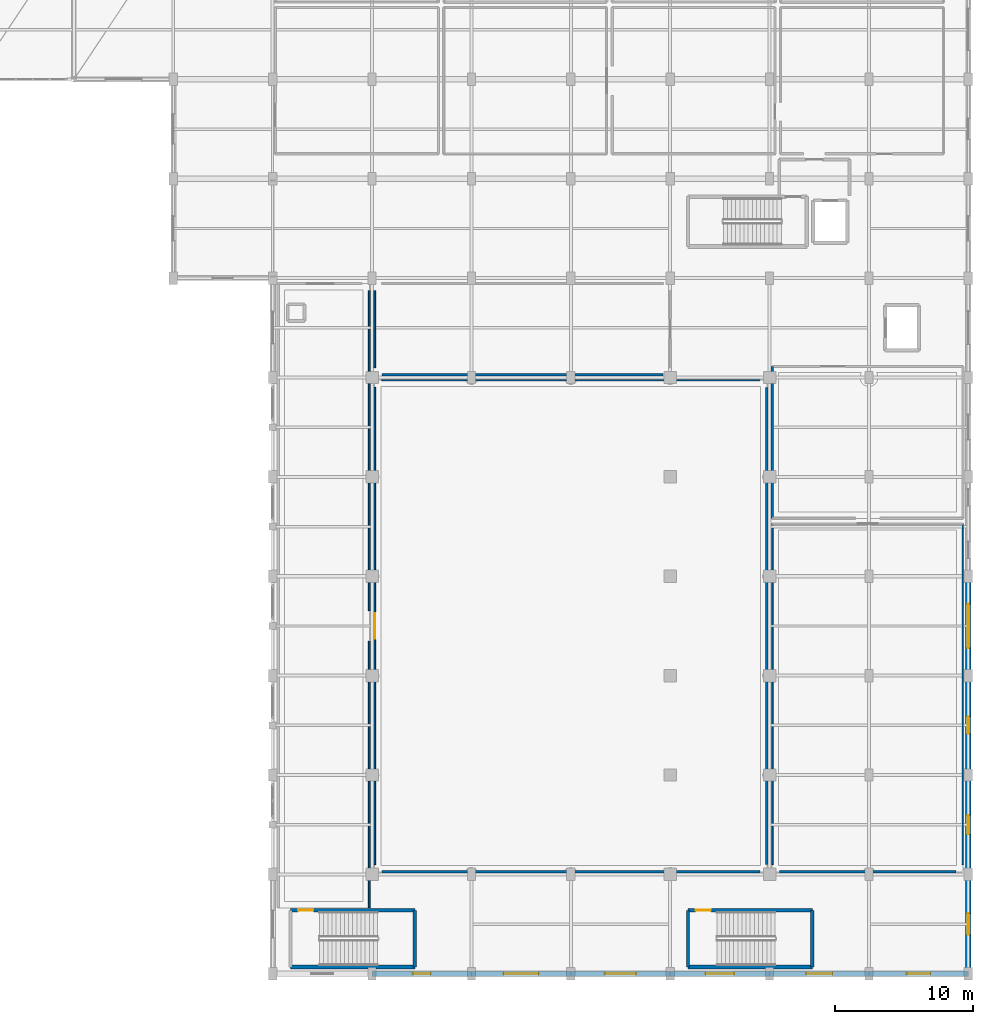
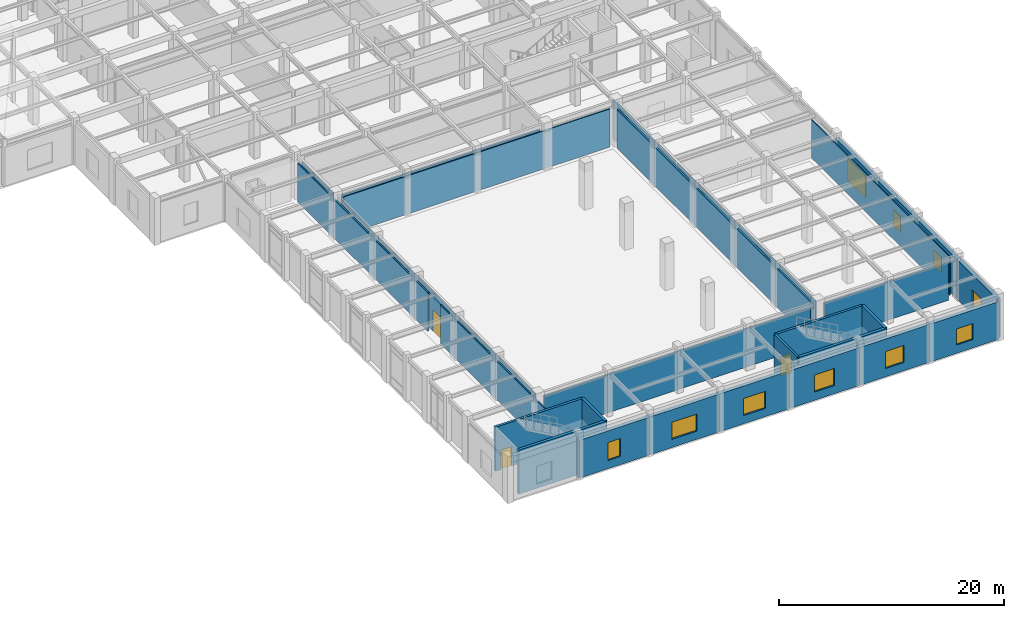
# One storey, part 93 of 117: 29 walls, 10 windows, 3 doors, 13 openings.
"""IFC4 building model written with IfcOpenShell, lengths in metres."""

from ifc_helpers import new_model, si_unit, direction, frame, frame_2d, origin, place, context, subcontext, project, spatial, rectangle, extrude, material, layer, layer_set, type_object, element, fill, save


model = new_model("IFC4")

# Units and contexts
model_context = context("Model", 3, precision=1e-05, world=origin(), true_north=direction((0.0, 1.0)))
body_context = subcontext(model_context, "Body", "Model", "MODEL_VIEW")
ifc_project = project(units=[si_unit("LENGTHUNIT", "METRE"), si_unit("AREAUNIT", "SQUARE_METRE"), si_unit("VOLUMEUNIT", "CUBIC_METRE"), si_unit("PLANEANGLEUNIT", "RADIAN"), si_unit("MASSUNIT", "GRAM", prefix="KILO")], contexts=[model_context])

# Site, building, storey
site_placement = place(None, origin())
site = spatial("IfcSite", under=ifc_project, at=site_placement, CompositionType="ELEMENT")
building_placement = place(site_placement, origin())
building = spatial("IfcBuilding", under=site, at=building_placement, Name="Carrowvane Square Congress Hotel", CompositionType="ELEMENT")
storey_placement = place(building_placement, frame((0.0, 0.0, 5.39990234375)))
storey = spatial("IfcBuildingStorey", under=building, at=storey_placement, Name="L01", CompositionType="ELEMENT", Elevation=5.39990234375)

# Wall, opening, window
ifc_material_1 = material(Name="Portland limestone cladding", Category="masonry")
ifc_layer_1 = layer(ifc_material_1, 0.3798828125)
ifc_layer_set_1 = layer_set([ifc_layer_1], Name="Portland limestone cladding")
wall_type_1 = type_object("IfcWallType", Name="WL-EXT-LS380", PredefinedType="STANDARD", material=ifc_layer_set_1)
wall_1_placement = place(storey_placement, frame((184.39990234375, 34.199951171875, 0.0), z_axis=(0.0, 0.0, 1.0), x_axis=(0.0, -1.0, 0.0)))
wall_1 = element("IfcWall", 1, at=wall_1_placement, inside=storey, type_object=wall_type_1, Name="L01 exterior facade wall 234", PredefinedType="STANDARD", context=body_context, shape_type="SweptSolid", body=[
    extrude(rectangle(XDim=7.199951171875, YDim=0.3798828125, at=frame_2d((3.60009765625, 0.0))), origin(), (0.0, 0.0, 1.0), 4.30517578125),
])
opening_1_placement = place(wall_1_placement, frame((2.0, 0.0, 0.89990234375)))
opening_1 = element("IfcOpeningElement", 2, at=opening_1_placement, cuts=wall_1, Name="Opening W-20", PredefinedType="OPENING", context=body_context, shape_type="SweptSolid", body=[
    extrude(rectangle(XDim=3.199951171875, YDim=2.39990234375, at=frame_2d((1.60009765625, 1.199951171875))), frame((0.0, 0.199951171875, 0.0), z_axis=(0.0, -1.0, 0.0), x_axis=(1.0, 0.0, 0.0)), (0.0, 0.0, 1.0), 0.39990234375),
])
ifc_material_2 = material(Name="Double-glazed low-E glass", Category="glass")
window_type_1 = type_object("IfcWindowType", Name="WIN-20", PartitioningType="SINGLE_PANEL", PredefinedType="WINDOW", material=ifc_material_2)
window_1_placement = place(opening_1_placement, origin())
window_1 = element("IfcWindow", 3, at=window_1_placement, inside=storey, type_object=window_type_1, Name="L01 facade window 57", OverallHeight=2.39990234375, OverallWidth=3.199951171875, PartitioningType="SINGLE_PANEL", PredefinedType="WINDOW", context=body_context, shape_type="SweptSolid", body=[
    extrude(rectangle(XDim=3.199951171875, YDim=2.39990234375, at=frame_2d((1.60009765625, 1.199951171875))), frame((0.0, 0.030029296875, 0.0), z_axis=(0.0, -1.0, 0.0), x_axis=(1.0, 0.0, 0.0)), (0.0, 0.0, 1.0), 0.06005859375),
])
fill(opening_1, window_1)

wall_2_placement = place(storey_placement, frame((184.39990234375, 27.0, 0.0), z_axis=(0.0, 0.0, 1.0), x_axis=(0.0, -1.0, 0.0)))
wall_2 = element("IfcWall", 4, at=wall_2_placement, inside=storey, type_object=wall_type_1, Name="L01 exterior facade wall 235", PredefinedType="STANDARD", context=body_context, shape_type="SweptSolid", body=[
    extrude(rectangle(XDim=7.199951171875, YDim=0.3798828125, at=frame_2d((3.60009765625, 0.0))), origin(), (0.0, 0.0, 1.0), 4.30517578125),
])
opening_2_placement = place(wall_2_placement, frame((2.97509765625, 0.0, 0.89990234375)))
opening_2 = element("IfcOpeningElement", 5, at=opening_2_placement, cuts=wall_2, Name="Opening W-21", PredefinedType="OPENING", context=body_context, shape_type="SweptSolid", body=[
    extrude(rectangle(XDim=1.25, YDim=1.75, at=frame_2d((0.625, 0.875))), frame((0.0, 0.199951171875, 0.0), z_axis=(0.0, -1.0, 0.0), x_axis=(1.0, 0.0, 0.0)), (0.0, 0.0, 1.0), 0.39990234375),
])
ifc_material_3 = material(Name="Double-glazed low-E glass", Category="glass")
window_type_2 = type_object("IfcWindowType", Name="WIN-21", PartitioningType="SINGLE_PANEL", PredefinedType="WINDOW", material=ifc_material_3)
window_2_placement = place(opening_2_placement, origin())
window_2 = element("IfcWindow", 6, at=window_2_placement, inside=storey, type_object=window_type_2, Name="L01 facade window 58", OverallHeight=1.75, OverallWidth=1.25, PartitioningType="SINGLE_PANEL", PredefinedType="WINDOW", context=body_context, shape_type="SweptSolid", body=[
    extrude(rectangle(XDim=1.25, YDim=1.75, at=frame_2d((0.625, 0.875))), frame((0.0, 0.030029296875, 0.0), z_axis=(0.0, -1.0, 0.0), x_axis=(1.0, 0.0, 0.0)), (0.0, 0.0, 1.0), 0.06005859375),
])
fill(opening_2, window_2)

wall_3_placement = place(storey_placement, frame((184.39990234375, 19.800048828125, 0.0), z_axis=(0.0, 0.0, 1.0), x_axis=(0.0, -1.0, 0.0)))
wall_3 = element("IfcWall", 7, at=wall_3_placement, inside=storey, type_object=wall_type_1, Name="L01 exterior facade wall 236", PredefinedType="STANDARD", context=body_context, shape_type="SweptSolid", body=[
    extrude(rectangle(XDim=7.199951171875, YDim=0.3798828125, at=frame_2d((3.60009765625, 0.0))), origin(), (0.0, 0.0, 1.0), 4.30517578125),
])
opening_3_placement = place(wall_3_placement, frame((2.89990234375, 0.0, 0.89990234375)))
opening_3 = element("IfcOpeningElement", 8, at=opening_3_placement, cuts=wall_3, Name="Opening W-22", PredefinedType="OPENING", context=body_context, shape_type="SweptSolid", body=[
    extrude(rectangle(XDim=1.39990234375, YDim=1.75, at=frame_2d((0.699951171875, 0.875))), frame((0.0, 0.199951171875, 0.0), z_axis=(0.0, -1.0, 0.0), x_axis=(1.0, 0.0, 0.0)), (0.0, 0.0, 1.0), 0.39990234375),
])
ifc_material_4 = material(Name="Double-glazed low-E glass", Category="glass")
window_type_3 = type_object("IfcWindowType", Name="WIN-22", PartitioningType="SINGLE_PANEL", PredefinedType="WINDOW", material=ifc_material_4)
window_3_placement = place(opening_3_placement, origin())
window_3 = element("IfcWindow", 9, at=window_3_placement, inside=storey, type_object=window_type_3, Name="L01 facade window 59", OverallHeight=1.75, OverallWidth=1.39990234375, PartitioningType="SINGLE_PANEL", PredefinedType="WINDOW", context=body_context, shape_type="SweptSolid", body=[
    extrude(rectangle(XDim=1.39990234375, YDim=1.75, at=frame_2d((0.699951171875, 0.875))), frame((0.0, 0.030029296875, 0.0), z_axis=(0.0, -1.0, 0.0), x_axis=(1.0, 0.0, 0.0)), (0.0, 0.0, 1.0), 0.06005859375),
])
fill(opening_3, window_3)

wall_4_placement = place(storey_placement, frame((184.39990234375, 12.60009765625, 0.0), z_axis=(0.0, 0.0, 1.0), x_axis=(0.0, -1.0, 0.0)))
wall_4 = element("IfcWall", 10, at=wall_4_placement, inside=storey, type_object=wall_type_1, Name="L01 exterior facade wall 237", PredefinedType="STANDARD", context=body_context, shape_type="SweptSolid", body=[
    extrude(rectangle(XDim=7.2001953125, YDim=0.3798828125, at=frame_2d((3.60009765625, 0.0))), origin(), (0.0, 0.0, 1.0), 4.30517578125),
])
opening_4_placement = place(wall_4_placement, frame((2.824951171875, 0.0, 0.89990234375)))
opening_4 = element("IfcOpeningElement", 11, at=opening_4_placement, cuts=wall_4, Name="Opening W-23", PredefinedType="OPENING", context=body_context, shape_type="SweptSolid", body=[
    extrude(rectangle(XDim=1.550048828125, YDim=1.75, at=frame_2d((0.77490234375, 0.875))), frame((0.0, 0.199951171875, 0.0), z_axis=(0.0, -1.0, 0.0), x_axis=(1.0, 0.0, 0.0)), (0.0, 0.0, 1.0), 0.39990234375),
])
ifc_material_5 = material(Name="Double-glazed low-E glass", Category="glass")
window_type_4 = type_object("IfcWindowType", Name="WIN-23", PartitioningType="SINGLE_PANEL", PredefinedType="WINDOW", material=ifc_material_5)
window_4_placement = place(opening_4_placement, origin())
window_4 = element("IfcWindow", 12, at=window_4_placement, inside=storey, type_object=window_type_4, Name="L01 facade window 60", OverallHeight=1.75, OverallWidth=1.550048828125, PartitioningType="SINGLE_PANEL", PredefinedType="WINDOW", context=body_context, shape_type="SweptSolid", body=[
    extrude(rectangle(XDim=1.550048828125, YDim=1.75, at=frame_2d((0.77490234375, 0.875))), frame((0.0, 0.030029296875, 0.0), z_axis=(0.0, -1.0, 0.0), x_axis=(1.0, 0.0, 0.0)), (0.0, 0.0, 1.0), 0.06005859375),
])
fill(opening_4, window_4)

wall_5_placement = place(storey_placement, frame((184.39990234375, 5.39990234375, 0.0), z_axis=(0.0, 0.0, 1.0), x_axis=(-1.0, 0.0, 0.0)))
wall_5 = element("IfcWall", 13, at=wall_5_placement, inside=storey, type_object=wall_type_1, Name="L01 exterior facade wall 238", PredefinedType="STANDARD", context=body_context, shape_type="SweptSolid", body=[
    extrude(rectangle(XDim=7.199951171875, YDim=0.3798828125, at=frame_2d((3.60009765625, 0.0))), origin(), (0.0, 0.0, 1.0), 4.114990234375),
])
opening_5_placement = place(wall_5_placement, frame((2.75, 0.0, 0.89990234375)))
opening_5 = element("IfcOpeningElement", 14, at=opening_5_placement, cuts=wall_5, Name="Opening W-24", PredefinedType="OPENING", context=body_context, shape_type="SweptSolid", body=[
    extrude(rectangle(XDim=1.699951171875, YDim=1.75, at=frame_2d((0.85009765625, 0.875))), frame((0.0, 0.199951171875, 0.0), z_axis=(0.0, -1.0, 0.0), x_axis=(1.0, 0.0, 0.0)), (0.0, 0.0, 1.0), 0.39990234375),
])
ifc_material_6 = material(Name="Double-glazed low-E glass", Category="glass")
window_type_5 = type_object("IfcWindowType", Name="WIN-24", PartitioningType="SINGLE_PANEL", PredefinedType="WINDOW", material=ifc_material_6)
window_5_placement = place(opening_5_placement, origin())
window_5 = element("IfcWindow", 15, at=window_5_placement, inside=storey, type_object=window_type_5, Name="L01 facade window 61", OverallHeight=1.75, OverallWidth=1.699951171875, PartitioningType="SINGLE_PANEL", PredefinedType="WINDOW", context=body_context, shape_type="SweptSolid", body=[
    extrude(rectangle(XDim=1.699951171875, YDim=1.75, at=frame_2d((0.85009765625, 0.875))), frame((0.0, 0.030029296875, 0.0), z_axis=(0.0, -1.0, 0.0), x_axis=(1.0, 0.0, 0.0)), (0.0, 0.0, 1.0), 0.06005859375),
])
fill(opening_5, window_5)

wall_6_placement = place(storey_placement, frame((177.199951171875, 5.39990234375, 0.0), z_axis=(0.0, 0.0, 1.0), x_axis=(-1.0, 0.0, 0.0)))
wall_6 = element("IfcWall", 16, at=wall_6_placement, inside=storey, type_object=wall_type_1, Name="L01 exterior facade wall 239", PredefinedType="STANDARD", context=body_context, shape_type="SweptSolid", body=[
    extrude(rectangle(XDim=7.199951171875, YDim=0.3798828125, at=frame_2d((3.60009765625, 0.0))), origin(), (0.0, 0.0, 1.0), 4.114990234375),
])
opening_6_placement = place(wall_6_placement, frame((2.64990234375, 0.0, 0.89990234375)))
opening_6 = element("IfcOpeningElement", 17, at=opening_6_placement, cuts=wall_6, Name="Opening W-25", PredefinedType="OPENING", context=body_context, shape_type="SweptSolid", body=[
    extrude(rectangle(XDim=1.89990234375, YDim=1.85009765625, at=frame_2d((0.949951171875, 0.925048828125))), frame((0.0, 0.199951171875, 0.0), z_axis=(0.0, -1.0, 0.0), x_axis=(1.0, 0.0, 0.0)), (0.0, 0.0, 1.0), 0.39990234375),
])
ifc_material_7 = material(Name="Double-glazed low-E glass", Category="glass")
window_type_6 = type_object("IfcWindowType", Name="WIN-25", PartitioningType="SINGLE_PANEL", PredefinedType="WINDOW", material=ifc_material_7)
window_6_placement = place(opening_6_placement, origin())
window_6 = element("IfcWindow", 18, at=window_6_placement, inside=storey, type_object=window_type_6, Name="L01 facade window 62", OverallHeight=1.85009765625, OverallWidth=1.89990234375, PartitioningType="SINGLE_PANEL", PredefinedType="WINDOW", context=body_context, shape_type="SweptSolid", body=[
    extrude(rectangle(XDim=1.89990234375, YDim=1.85009765625, at=frame_2d((0.949951171875, 0.925048828125))), frame((0.0, 0.030029296875, 0.0), z_axis=(0.0, -1.0, 0.0), x_axis=(1.0, 0.0, 0.0)), (0.0, 0.0, 1.0), 0.06005859375),
])
fill(opening_6, window_6)

wall_7_placement = place(storey_placement, frame((170.0, 5.39990234375, 0.0), z_axis=(0.0, 0.0, 1.0), x_axis=(-1.0, 0.0, 0.0)))
wall_7 = element("IfcWall", 19, at=wall_7_placement, inside=storey, type_object=wall_type_1, Name="L01 exterior facade wall 240", PredefinedType="STANDARD", context=body_context, shape_type="SweptSolid", body=[
    extrude(rectangle(XDim=7.199951171875, YDim=0.3798828125, at=frame_2d((3.60009765625, 0.0))), origin(), (0.0, 0.0, 1.0), 4.114990234375),
])
opening_7_placement = place(wall_7_placement, frame((2.574951171875, 0.0, 0.89990234375)))
opening_7 = element("IfcOpeningElement", 20, at=opening_7_placement, cuts=wall_7, Name="Opening W-26", PredefinedType="OPENING", context=body_context, shape_type="SweptSolid", body=[
    extrude(rectangle(XDim=2.050048828125, YDim=1.85009765625, at=frame_2d((1.02490234375, 0.925048828125))), frame((0.0, 0.199951171875, 0.0), z_axis=(0.0, -1.0, 0.0), x_axis=(1.0, 0.0, 0.0)), (0.0, 0.0, 1.0), 0.39990234375),
])
ifc_material_8 = material(Name="Double-glazed low-E glass", Category="glass")
window_type_7 = type_object("IfcWindowType", Name="WIN-26", PartitioningType="SINGLE_PANEL", PredefinedType="WINDOW", material=ifc_material_8)
window_7_placement = place(opening_7_placement, origin())
window_7 = element("IfcWindow", 21, at=window_7_placement, inside=storey, type_object=window_type_7, Name="L01 facade window 63", OverallHeight=1.85009765625, OverallWidth=2.050048828125, PartitioningType="SINGLE_PANEL", PredefinedType="WINDOW", context=body_context, shape_type="SweptSolid", body=[
    extrude(rectangle(XDim=2.050048828125, YDim=1.85009765625, at=frame_2d((1.02490234375, 0.925048828125))), frame((0.0, 0.030029296875, 0.0), z_axis=(0.0, -1.0, 0.0), x_axis=(1.0, 0.0, 0.0)), (0.0, 0.0, 1.0), 0.06005859375),
])
fill(opening_7, window_7)

wall_8_placement = place(storey_placement, frame((162.800048828125, 5.39990234375, 0.0), z_axis=(0.0, 0.0, 1.0), x_axis=(-1.0, 0.0, 0.0)))
wall_8 = element("IfcWall", 22, at=wall_8_placement, inside=storey, type_object=wall_type_1, Name="L01 exterior facade wall 241", PredefinedType="STANDARD", context=body_context, shape_type="SweptSolid", body=[
    extrude(rectangle(XDim=7.199951171875, YDim=0.3798828125, at=frame_2d((3.60009765625, 0.0))), origin(), (0.0, 0.0, 1.0), 4.114990234375),
])
opening_8_placement = place(wall_8_placement, frame((2.47509765625, 0.0, 0.89990234375)))
opening_8 = element("IfcOpeningElement", 23, at=opening_8_placement, cuts=wall_8, Name="Opening W-27", PredefinedType="OPENING", context=body_context, shape_type="SweptSolid", body=[
    extrude(rectangle(XDim=2.25, YDim=1.85009765625, at=frame_2d((1.125, 0.925048828125))), frame((0.0, 0.199951171875, 0.0), z_axis=(0.0, -1.0, 0.0), x_axis=(1.0, 0.0, 0.0)), (0.0, 0.0, 1.0), 0.39990234375),
])
ifc_material_9 = material(Name="Double-glazed low-E glass", Category="glass")
window_type_8 = type_object("IfcWindowType", Name="WIN-27", PartitioningType="SINGLE_PANEL", PredefinedType="WINDOW", material=ifc_material_9)
window_8_placement = place(opening_8_placement, origin())
window_8 = element("IfcWindow", 24, at=window_8_placement, inside=storey, type_object=window_type_8, Name="L01 facade window 64", OverallHeight=1.85009765625, OverallWidth=2.25, PartitioningType="SINGLE_PANEL", PredefinedType="WINDOW", context=body_context, shape_type="SweptSolid", body=[
    extrude(rectangle(XDim=2.25, YDim=1.85009765625, at=frame_2d((1.125, 0.925048828125))), frame((0.0, 0.030029296875, 0.0), z_axis=(0.0, -1.0, 0.0), x_axis=(1.0, 0.0, 0.0)), (0.0, 0.0, 1.0), 0.06005859375),
])
fill(opening_8, window_8)

wall_9_placement = place(storey_placement, frame((155.60009765625, 5.39990234375, 0.0), z_axis=(0.0, 0.0, 1.0), x_axis=(-1.0, 0.0, 0.0)))
wall_9 = element("IfcWall", 25, at=wall_9_placement, inside=storey, type_object=wall_type_1, Name="L01 exterior facade wall 242", PredefinedType="STANDARD", context=body_context, shape_type="SweptSolid", body=[
    extrude(rectangle(XDim=7.2001953125, YDim=0.3798828125, at=frame_2d((3.60009765625, 0.0))), origin(), (0.0, 0.0, 1.0), 4.114990234375),
])
opening_9_placement = place(wall_9_placement, frame((2.324951171875, 0.0, 0.89990234375)))
opening_9 = element("IfcOpeningElement", 26, at=opening_9_placement, cuts=wall_9, Name="Opening W-28", PredefinedType="OPENING", context=body_context, shape_type="SweptSolid", body=[
    extrude(rectangle(XDim=2.550048828125, YDim=1.85009765625, at=frame_2d((1.27490234375, 0.925048828125))), frame((0.0, 0.199951171875, 0.0), z_axis=(0.0, -1.0, 0.0), x_axis=(1.0, 0.0, 0.0)), (0.0, 0.0, 1.0), 0.39990234375),
])
ifc_material_10 = material(Name="Double-glazed low-E glass", Category="glass")
window_type_9 = type_object("IfcWindowType", Name="WIN-28", PartitioningType="SINGLE_PANEL", PredefinedType="WINDOW", material=ifc_material_10)
window_9_placement = place(opening_9_placement, origin())
window_9 = element("IfcWindow", 27, at=window_9_placement, inside=storey, type_object=window_type_9, Name="L01 facade window 65", OverallHeight=1.85009765625, OverallWidth=2.550048828125, PartitioningType="SINGLE_PANEL", PredefinedType="WINDOW", context=body_context, shape_type="SweptSolid", body=[
    extrude(rectangle(XDim=2.550048828125, YDim=1.85009765625, at=frame_2d((1.27490234375, 0.925048828125))), frame((0.0, 0.030029296875, 0.0), z_axis=(0.0, -1.0, 0.0), x_axis=(1.0, 0.0, 0.0)), (0.0, 0.0, 1.0), 0.06005859375),
])
fill(opening_9, window_9)

wall_10_placement = place(storey_placement, frame((148.39990234375, 5.39990234375, 0.0), z_axis=(0.0, 0.0, 1.0), x_axis=(-1.0, 0.0, 0.0)))
wall_10 = element("IfcWall", 28, at=wall_10_placement, inside=storey, type_object=wall_type_1, Name="L01 exterior facade wall 243", PredefinedType="STANDARD", context=body_context, shape_type="SweptSolid", body=[
    extrude(rectangle(XDim=7.199951171875, YDim=0.3798828125, at=frame_2d((3.60009765625, 0.0))), origin(), (0.0, 0.0, 1.0), 4.114990234375),
])
opening_10_placement = place(wall_10_placement, frame((2.949951171875, 0.0, 0.89990234375)))
opening_10 = element("IfcOpeningElement", 29, at=opening_10_placement, cuts=wall_10, Name="Opening W-29", PredefinedType="OPENING", context=body_context, shape_type="SweptSolid", body=[
    extrude(rectangle(XDim=1.300048828125, YDim=1.949951171875, at=frame_2d((0.64990234375, 0.97509765625))), frame((0.0, 0.199951171875, 0.0), z_axis=(0.0, -1.0, 0.0), x_axis=(1.0, 0.0, 0.0)), (0.0, 0.0, 1.0), 0.39990234375),
])
ifc_material_11 = material(Name="Double-glazed low-E glass", Category="glass")
window_type_10 = type_object("IfcWindowType", Name="WIN-29", PartitioningType="SINGLE_PANEL", PredefinedType="WINDOW", material=ifc_material_11)
window_10_placement = place(opening_10_placement, origin())
window_10 = element("IfcWindow", 30, at=window_10_placement, inside=storey, type_object=window_type_10, Name="L01 facade window 66", OverallHeight=1.949951171875, OverallWidth=1.300048828125, PartitioningType="SINGLE_PANEL", PredefinedType="WINDOW", context=body_context, shape_type="SweptSolid", body=[
    extrude(rectangle(XDim=1.300048828125, YDim=1.949951171875, at=frame_2d((0.64990234375, 0.97509765625))), frame((0.0, 0.030029296875, 0.0), z_axis=(0.0, -1.0, 0.0), x_axis=(1.0, 0.0, 0.0)), (0.0, 0.0, 1.0), 0.06005859375),
])
fill(opening_10, window_10)

# Walls
ifc_material_12 = material(Name="Acoustic gypsum board", Category="gypsum")
ifc_layer_2 = layer(ifc_material_12, 0.169921875)
ifc_layer_set_2 = layer_set([ifc_layer_2], Name="Acoustic gypsum board")
wall_type_2 = type_object("IfcWallType", Name="WL-FIR-170", PredefinedType="PARTITIONING", material=ifc_layer_set_2)
wall_11_placement = place(storey_placement, frame((169.2900390625, 12.800048828125, 0.0), z_axis=(0.0, 0.0, 1.0), x_axis=(-1.0, 0.0, 0.0)))
element("IfcWall", 31, at=wall_11_placement, inside=storey, type_object=wall_type_2, Name="L01 Carrowvane Grand Ballroom partition", PredefinedType="PARTITIONING", context=body_context, shape_type="SweptSolid", body=[
    extrude(rectangle(XDim=27.380126953125, YDim=0.169921875, at=frame_2d((13.68994140625, 0.0))), origin(), (0.0, 0.0, 1.0), 4.15283203125),
])
wall_12_placement = place(storey_placement, frame((170.199951171875, 38.39990234375, 0.0), z_axis=(0.0, 0.0, 1.0), x_axis=(0.0, 1.0, 0.0)))
element("IfcWall", 32, at=wall_12_placement, inside=storey, type_object=wall_type_2, Name="L01 VIP Speaker Preparation Lounge partition", PredefinedType="PARTITIONING", context=body_context, shape_type="SweptSolid", body=[
    extrude(rectangle(XDim=11.0, YDim=0.169921875, at=frame_2d((5.5, 0.0))), origin(), (0.0, 0.0, 1.0), 4.228515625),
])
ifc_material_13 = material(Name="Acoustic gypsum board", Category="gypsum")
ifc_layer_3 = layer(ifc_material_13, 0.18505859375)
ifc_layer_set_3 = layer_set([ifc_layer_3], Name="Acoustic gypsum board")
wall_type_3 = type_object("IfcWallType", Name="WL-FIR-185", PredefinedType="PARTITIONING", material=ifc_layer_set_3)
wall_13_placement = place(storey_placement, frame((169.800048828125, 47.889892578125, 0.0), z_axis=(0.0, 0.0, 1.0), x_axis=(0.0, -1.0, 0.0)))
element("IfcWall", 33, at=wall_13_placement, inside=storey, type_object=wall_type_3, Name="L01 Carrowvane Grand Ballroom partition", PredefinedType="PARTITIONING", context=body_context, shape_type="SweptSolid", body=[
    extrude(rectangle(XDim=34.579833984375, YDim=0.18505859375, at=frame_2d((17.2900390625, 0.0))), origin(), (0.0, 0.0, 1.0), 4.228515625),
])
wall_14_placement = place(storey_placement, frame((183.489990234375, 12.800048828125, 0.0), z_axis=(0.0, 0.0, 1.0), x_axis=(-1.0, 0.0, 0.0)))
element("IfcWall", 34, at=wall_14_placement, inside=storey, type_object=wall_type_3, Name="L01 Banqueting Finishing Kitchen Pantry partition", PredefinedType="PARTITIONING", context=body_context, shape_type="SweptSolid", body=[
    extrude(rectangle(XDim=12.780029296875, YDim=0.18505859375, at=frame_2d((6.39013671875, 0.0))), origin(), (0.0, 0.0, 1.0), 4.15283203125),
])
wall_15_placement = place(storey_placement, frame((162.2900390625, 48.800048828125, 0.0), z_axis=(0.0, 0.0, 1.0), x_axis=(-1.0, 0.0, 0.0)))
element("IfcWall", 35, at=wall_15_placement, inside=storey, type_object=wall_type_3, Name="L01 Ballroom Public and Accessible Toilets partition", PredefinedType="PARTITIONING", context=body_context, shape_type="SweptSolid", body=[
    extrude(rectangle(XDim=20.380126953125, YDim=0.18505859375, at=frame_2d((10.18994140625, 0.0))), origin(), (0.0, 0.0, 1.0), 4.15283203125),
])
ifc_material_14 = material(Name="Acoustic gypsum board", Category="gypsum")
ifc_layer_4 = layer(ifc_material_14, 0.097900390625)
ifc_layer_set_4 = layer_set([ifc_layer_4], Name="Acoustic gypsum board")
wall_type_4 = type_object("IfcWallType", Name="WL-PRT-098", PredefinedType="PARTITIONING", material=ifc_layer_set_4)
wall_16_placement = place(storey_placement, frame((141.909912109375, 48.39990234375, 0.0), z_axis=(0.0, 0.0, 1.0), x_axis=(1.0, 0.0, 0.0)))
element("IfcWall", 36, at=wall_16_placement, inside=storey, type_object=wall_type_4, Name="L01 Carrowvane Grand Ballroom partition", PredefinedType="PARTITIONING", context=body_context, shape_type="SweptSolid", body=[
    extrude(rectangle(XDim=27.380126953125, YDim=0.097900390625, at=frame_2d((13.68994140625, 0.0))), origin(), (0.0, 0.0, 1.0), 4.15283203125),
])
wall_17_placement = place(storey_placement, frame((184.0, 38.0, 0.0), z_axis=(0.0, 0.0, 1.0), x_axis=(0.0, -1.0, 0.0)))
element("IfcWall", 37, at=wall_17_placement, inside=storey, type_object=wall_type_4, Name="L01 Banqueting Finishing Kitchen Pantry partition", PredefinedType="PARTITIONING", context=body_context, shape_type="SweptSolid", body=[
    extrude(rectangle(XDim=24.68994140625, YDim=0.097900390625, at=frame_2d((12.344970703125, 0.0))), origin(), (0.0, 0.0, 1.0), 4.15283203125),
])

# Wall, opening, door
ifc_material_15 = material(Name="Acoustic gypsum board", Category="gypsum")
ifc_layer_5 = layer(ifc_material_15, 0.10791015625)
ifc_layer_set_5 = layer_set([ifc_layer_5], Name="Acoustic gypsum board")
wall_type_5 = type_object("IfcWallType", Name="WL-PRT-108", PredefinedType="PARTITIONING", material=ifc_layer_set_5)
wall_18_placement = place(storey_placement, frame((141.39990234375, 13.31005859375, 0.0), z_axis=(0.0, 0.0, 1.0), x_axis=(0.0, 1.0, 0.0)))
wall_18 = element("IfcWall", 38, at=wall_18_placement, inside=storey, type_object=wall_type_5, Name="L01 Carrowvane Grand Ballroom partition", PredefinedType="PARTITIONING", context=body_context, shape_type="SweptSolid", body=[
    extrude(rectangle(XDim=34.579833984375, YDim=0.10791015625, at=frame_2d((17.2900390625, 0.0))), origin(), (0.0, 0.0, 1.0), 4.228515625),
])
opening_11_placement = place(wall_18_placement, frame((16.364990234375, 0.0, 0.0)))
opening_11 = element("IfcOpeningElement", 39, at=opening_11_placement, cuts=wall_18, Name="Opening ID-13", PredefinedType="OPENING", context=body_context, shape_type="SweptSolid", body=[
    extrude(rectangle(XDim=1.85009765625, YDim=2.300048828125, at=frame_2d((0.925048828125, 1.14990234375))), frame((0.0, 0.06396484375, 0.0), z_axis=(0.0, -1.0, 0.0), x_axis=(1.0, 0.0, 0.0)), (0.0, 0.0, 1.0), 0.1279296875),
])
ifc_material_16 = material(Name="European oak timber", Category="wood")
door_type_1 = type_object("IfcDoorType", Name="DR-INT-1850x2300", OperationType="DOUBLE_DOOR_SINGLE_SWING", PredefinedType="DOOR", material=ifc_material_16)
door_1_placement = place(opening_11_placement, origin())
door_1 = element("IfcDoor", 40, at=door_1_placement, inside=storey, type_object=door_type_1, Name="L01 Carrowvane Grand Ballroom entrance door", OperationType="DOUBLE_DOOR_SINGLE_SWING", OverallHeight=2.300048828125, OverallWidth=1.85009765625, PredefinedType="DOOR", context=body_context, shape_type="SweptSolid", body=[
    extrude(rectangle(XDim=1.85009765625, YDim=2.300048828125, at=frame_2d((0.925048828125, 1.14990234375))), frame((0.0, 0.02490234375, 0.0), z_axis=(0.0, -1.0, 0.0), x_axis=(1.0, 0.0, 0.0)), (0.0, 0.0, 1.0), 0.050048828125),
])
fill(opening_11, door_1)

# Walls
ifc_material_17 = material(Name="Acoustic gypsum board", Category="gypsum")
ifc_layer_6 = layer(ifc_material_17, 0.117919921875)
ifc_layer_set_6 = layer_set([ifc_layer_6], Name="Acoustic gypsum board")
wall_type_6 = type_object("IfcWallType", Name="WL-PRT-118", PredefinedType="PARTITIONING", material=ifc_layer_set_6)
wall_19_placement = place(storey_placement, frame((170.199951171875, 13.31005859375, 0.0), z_axis=(0.0, 0.0, 1.0), x_axis=(0.0, 1.0, 0.0)))
element("IfcWall", 41, at=wall_19_placement, inside=storey, type_object=wall_type_6, Name="L01 Banqueting Finishing Kitchen Pantry partition", PredefinedType="PARTITIONING", context=body_context, shape_type="SweptSolid", body=[
    extrude(rectangle(XDim=24.68994140625, YDim=0.117919921875, at=frame_2d((12.344970703125, 0.0))), origin(), (0.0, 0.0, 1.0), 4.228515625),
])
wall_20_placement = place(storey_placement, frame((141.39990234375, 49.31005859375, 0.0), z_axis=(0.0, 0.0, 1.0), x_axis=(0.0, 1.0, 0.0)))
element("IfcWall", 42, at=wall_20_placement, inside=storey, type_object=wall_type_6, Name="L01 Ballroom Public and Accessible Toilets partition", PredefinedType="PARTITIONING", context=body_context, shape_type="SweptSolid", body=[
    extrude(rectangle(XDim=5.579833984375, YDim=0.117919921875, at=frame_2d((2.7900390625, 0.0))), origin(), (0.0, 0.0, 1.0), 4.228515625),
])
ifc_material_18 = material(Name="Acoustic gypsum board", Category="gypsum")
ifc_layer_7 = layer(ifc_material_18, 0.1279296875)
ifc_layer_set_7 = layer_set([ifc_layer_7], Name="Acoustic gypsum board")
wall_type_7 = type_object("IfcWallType", Name="WL-PRT-128", PredefinedType="PARTITIONING", material=ifc_layer_set_7)
wall_21_placement = place(storey_placement, frame((141.0, 29.4951171875, 0.0), z_axis=(0.0, 0.0, 1.0), x_axis=(0.0, -1.0, 0.0)))
element("IfcWall", 43, at=wall_21_placement, inside=storey, type_object=wall_type_7, Name="L01 Ballroom Pre-Function Champagne Gallery partition", PredefinedType="PARTITIONING", context=body_context, shape_type="SweptSolid", body=[
    extrude(rectangle(XDim=19.295166015625, YDim=0.1279296875, at=frame_2d((9.6474609375, 0.0))), origin(), (0.0, 0.0, 1.0), 4.228515625),
])
ifc_material_19 = material(Name="Acoustic gypsum board", Category="gypsum")
ifc_layer_8 = layer(ifc_material_19, 0.137939453125)
ifc_layer_set_8 = layer_set([ifc_layer_8], Name="Acoustic gypsum board")
wall_type_8 = type_object("IfcWallType", Name="WL-PRT-138", PredefinedType="PARTITIONING", material=ifc_layer_set_8)
wall_22_placement = place(storey_placement, frame((141.0, 54.889892578125, 0.0), z_axis=(0.0, 0.0, 1.0), x_axis=(0.0, -1.0, 0.0)))
element("IfcWall", 44, at=wall_22_placement, inside=storey, type_object=wall_type_8, Name="L01 Ballroom Pre-Function Champagne Gallery partition", PredefinedType="PARTITIONING", context=body_context, shape_type="SweptSolid", body=[
    extrude(rectangle(XDim=23.184814453125, YDim=0.137939453125, at=frame_2d((11.59228515625, 0.0))), origin(), (0.0, 0.0, 1.0), 4.228515625),
])
ifc_material_20 = material(Name="Concrete C40/50", Category="concrete")
ifc_layer_9 = layer(ifc_material_20, 0.22509765625)
ifc_layer_set_9 = layer_set([ifc_layer_9], Name="Concrete C40/50")
wall_type_9 = type_object("IfcWallType", Name="WL-SHR-225", PredefinedType="SHEAR", material=ifc_layer_set_9)
wall_23_placement = place(storey_placement, frame((164.10009765625, 10.0, 0.0), z_axis=(0.0, 0.0, 1.0), x_axis=(0.0, -1.0, 0.0)))
element("IfcWall", 45, at=wall_23_placement, inside=storey, type_object=wall_type_9, Name="L01 ST11 core wall west", PredefinedType="SHEAR", context=body_context, shape_type="SweptSolid", body=[
    extrude(rectangle(XDim=4.10009765625, YDim=0.22509765625, at=frame_2d((2.050048828125, 0.0))), origin(), (0.0, 0.0, 1.0), 4.780029296875),
])

# Wall, opening, door
ifc_material_21 = material(Name="Concrete C40/50", Category="concrete")
ifc_layer_10 = layer(ifc_material_21, 0.25)
ifc_layer_set_10 = layer_set([ifc_layer_10], Name="Concrete C40/50")
wall_type_10 = type_object("IfcWallType", Name="WL-SHR-250", PredefinedType="SHEAR", material=ifc_layer_set_10)
wall_24_placement = place(storey_placement, frame((144.300048828125, 10.0, 0.0), z_axis=(0.0, 0.0, 1.0), x_axis=(-1.0, 0.0, 0.0)))
wall_24 = element("IfcWall", 46, at=wall_24_placement, inside=storey, type_object=wall_type_10, Name="L01 ST10 core wall north", PredefinedType="SHEAR", context=body_context, shape_type="SweptSolid", body=[
    extrude(rectangle(XDim=9.0, YDim=0.25, at=frame_2d((4.5, 0.0))), origin(), (0.0, 0.0, 1.0), 4.780029296875),
])
opening_12_placement = place(wall_24_placement, frame((7.35009765625, 0.0, 0.0)))
opening_12 = element("IfcOpeningElement", 47, at=opening_12_placement, cuts=wall_24, Name="Opening FD-01", PredefinedType="OPENING", context=body_context, shape_type="SweptSolid", body=[
    extrude(rectangle(XDim=1.10009765625, YDim=2.10009765625, at=frame_2d((0.550048828125, 1.050048828125))), frame((0.0, 0.135009765625, 0.0), z_axis=(0.0, -1.0, 0.0), x_axis=(1.0, 0.0, 0.0)), (0.0, 0.0, 1.0), 0.27001953125),
])
ifc_material_22 = material(Name="European oak timber", Category="wood")
door_type_2 = type_object("IfcDoorType", Name="DR-FD60-1100x2100", OperationType="NOTDEFINED", PredefinedType="DOOR", material=ifc_material_22)
door_2_placement = place(opening_12_placement, origin())
door_2 = element("IfcDoor", 48, at=door_2_placement, inside=storey, type_object=door_type_2, Name="L01 ST10 fire door", OperationType="SINGLE_SWING_LEFT", OverallHeight=2.10009765625, OverallWidth=1.10009765625, PredefinedType="DOOR", context=body_context, shape_type="SweptSolid", body=[
    extrude(rectangle(XDim=1.10009765625, YDim=2.10009765625, at=frame_2d((0.550048828125, 1.050048828125))), frame((0.0, 0.02490234375, 0.0), z_axis=(0.0, -1.0, 0.0), x_axis=(1.0, 0.0, 0.0)), (0.0, 0.0, 1.0), 0.050048828125),
])
fill(opening_12, door_2)

wall_25_placement = place(storey_placement, frame((173.10009765625, 10.0, 0.0), z_axis=(0.0, 0.0, 1.0), x_axis=(-1.0, 0.0, 0.0)))
wall_25 = element("IfcWall", 49, at=wall_25_placement, inside=storey, type_object=wall_type_10, Name="L01 ST11 core wall north", PredefinedType="SHEAR", context=body_context, shape_type="SweptSolid", body=[
    extrude(rectangle(XDim=9.0, YDim=0.25, at=frame_2d((4.5, 0.0))), origin(), (0.0, 0.0, 1.0), 4.780029296875),
])
opening_13_placement = place(wall_25_placement, frame((7.35009765625, 0.0, 0.0)))
opening_13 = element("IfcOpeningElement", 50, at=opening_13_placement, cuts=wall_25, Name="Opening FD-01", PredefinedType="OPENING", context=body_context, shape_type="SweptSolid", body=[
    extrude(rectangle(XDim=1.10009765625, YDim=2.10009765625, at=frame_2d((0.550048828125, 1.050048828125))), frame((0.0, 0.135009765625, 0.0), z_axis=(0.0, -1.0, 0.0), x_axis=(1.0, 0.0, 0.0)), (0.0, 0.0, 1.0), 0.27001953125),
])
door_3_placement = place(opening_13_placement, origin())
door_3 = element("IfcDoor", 51, at=door_3_placement, inside=storey, type_object=door_type_2, Name="L01 ST11 fire door", OperationType="SINGLE_SWING_RIGHT", OverallHeight=2.10009765625, OverallWidth=1.10009765625, PredefinedType="DOOR", context=body_context, shape_type="SweptSolid", body=[
    extrude(rectangle(XDim=1.10009765625, YDim=2.10009765625, at=frame_2d((0.550048828125, 1.050048828125))), frame((0.0, 0.02490234375, 0.0), z_axis=(0.0, -1.0, 0.0), x_axis=(1.0, 0.0, 0.0)), (0.0, 0.0, 1.0), 0.050048828125),
])
fill(opening_13, door_3)

# Walls
ifc_material_23 = material(Name="Concrete C40/50", Category="concrete")
ifc_layer_11 = layer(ifc_material_23, 0.27490234375)
ifc_layer_set_11 = layer_set([ifc_layer_11], Name="Concrete C40/50")
wall_type_11 = type_object("IfcWallType", Name="WL-SHR-275", PredefinedType="SHEAR", material=ifc_layer_set_11)
for number, where, z_axis, x_axis, name in (
    (52, (144.300048828125, 5.89990234375, 0.0), (0.0, 0.0, 1.0), (0.0, 1.0, 0.0), "L01 ST10 core wall east"),
    (53, (173.10009765625, 5.89990234375, 0.0), (0.0, 0.0, 1.0), (0.0, 1.0, 0.0), "L01 ST11 core wall east"),
):
    element("IfcWall", number, at=place(storey_placement, frame(where, z_axis=z_axis, x_axis=x_axis)), inside=storey, type_object=wall_type_11, Name=name, PredefinedType="SHEAR", context=body_context, shape_type="SweptSolid", body=[
        extrude(rectangle(XDim=4.10009765625, YDim=0.27490234375, at=frame_2d((2.050048828125, 0.0))), origin(), (0.0, 0.0, 1.0), 4.780029296875),
    ])
ifc_material_24 = material(Name="Concrete C40/50", Category="concrete")
ifc_layer_12 = layer(ifc_material_24, 0.300048828125)
ifc_layer_set_12 = layer_set([ifc_layer_12], Name="Concrete C40/50")
wall_type_12 = type_object("IfcWallType", Name="WL-SHR-300", PredefinedType="SHEAR", material=ifc_layer_set_12)
for number, where, z_axis, x_axis, name in (
    (54, (135.300048828125, 5.89990234375, 0.0), (0.0, 0.0, 1.0), (1.0, 0.0, 0.0), "L01 ST10 core wall south"),
    (55, (164.10009765625, 5.89990234375, 0.0), (0.0, 0.0, 1.0), (1.0, 0.0, 0.0), "L01 ST11 core wall south"),
):
    element("IfcWall", number, at=place(storey_placement, frame(where, z_axis=z_axis, x_axis=x_axis)), inside=storey, type_object=wall_type_12, Name=name, PredefinedType="SHEAR", context=body_context, shape_type="SweptSolid", body=[
        extrude(rectangle(XDim=9.0, YDim=0.300048828125, at=frame_2d((4.5, 0.0))), origin(), (0.0, 0.0, 1.0), 4.780029296875),
    ])

save(model, "model.ifc")
